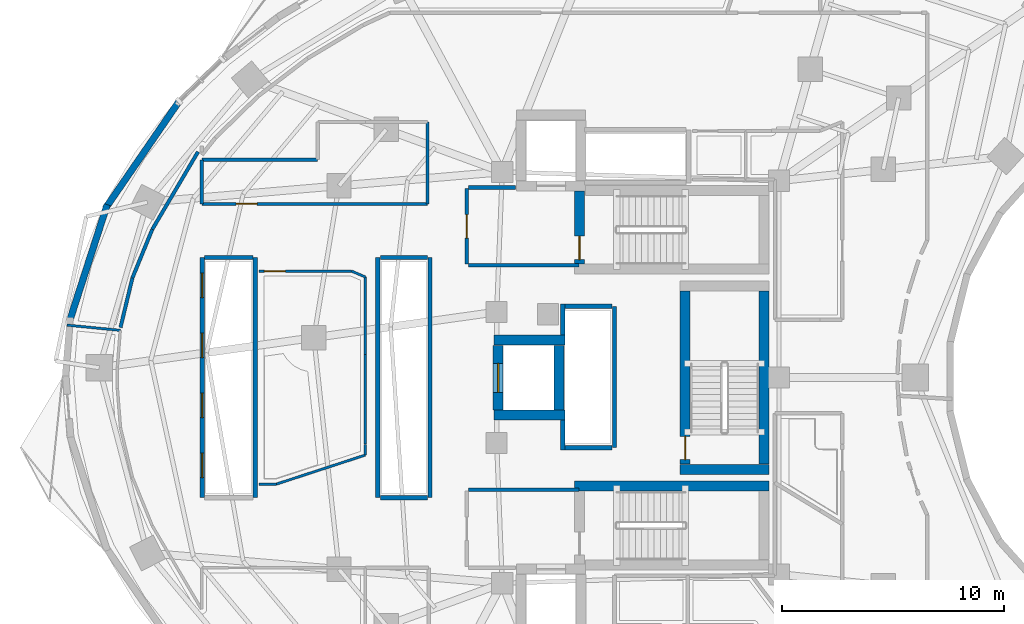
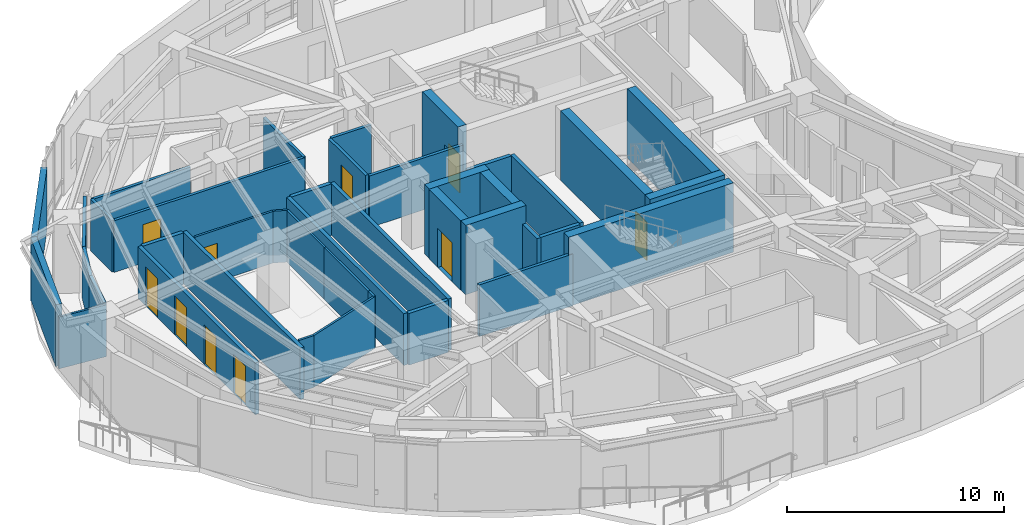
# One storey, part 8 of 14: 42 walls, 10 doors, 10 openings.
"""IFC4 building model written with IfcOpenShell, lengths in metres."""

from ifc_helpers import new_model, si_unit, direction, frame, frame_2d, origin, place, context, subcontext, project, spatial, rectangle, extrude, material, layer, layer_set, type_object, element, fill, save


model = new_model("IFC4")

# Units and contexts
model_context = context("Model", 3, precision=1e-05, world=origin(), true_north=direction((0.0, 1.0)))
body_context = subcontext(model_context, "Body", "Model", "MODEL_VIEW")
ifc_project = project(units=[si_unit("LENGTHUNIT", "METRE"), si_unit("AREAUNIT", "SQUARE_METRE"), si_unit("VOLUMEUNIT", "CUBIC_METRE"), si_unit("PLANEANGLEUNIT", "RADIAN"), si_unit("MASSUNIT", "GRAM", prefix="KILO")], contexts=[model_context])

# Site, building, storey
site_placement = place(None, origin())
site = spatial("IfcSite", under=ifc_project, at=site_placement, CompositionType="ELEMENT")
building_placement = place(site_placement, origin())
building = spatial("IfcBuilding", under=site, at=building_placement, Name="Korentha Bioscience Tower", CompositionType="ELEMENT")
storey_placement = place(building_placement, frame((0.0, 0.0, 90.0)))
storey = spatial("IfcBuildingStorey", under=building, at=storey_placement, Name="L20", CompositionType="ELEMENT", Elevation=90.0)

# Wall, opening, door
ifc_material_1 = material(Name="Double-Stud Acoustic Gypsum", Category="gypsum")
ifc_layer_1 = layer(ifc_material_1, 0.14990234375, Name="Double-Stud Acoustic Gypsum")
ifc_layer_set_1 = layer_set([ifc_layer_1], Name="Double-Stud Acoustic Gypsum (IW-L150)")
wall_type_1 = type_object("IfcWallType", Name="Acoustic Laboratory Partition Wall 150", PredefinedType="PARTITIONING", material=ifc_layer_set_1)
wall_1_placement = place(storey_placement, frame((21.739990234375, 34.81005859375, 0.0), z_axis=(0.0, 0.0, 1.0), x_axis=(-1.0, 0.0, 0.0)))
wall_1 = element("IfcWall", 1, at=wall_1_placement, inside=storey, type_object=wall_type_1, Name="L20 Epidemiology Modelling Studio 10 Entrance Wall", PredefinedType="PARTITIONING", context=body_context, shape_type="SweptSolid", body=[
    extrude(rectangle(XDim=10.14990234375, YDim=0.14990234375, at=frame_2d((5.074951171875, 0.0))), origin(), (0.0, 0.0, 1.0), 2.909912109375),
])
opening_1_placement = place(wall_1_placement, frame((7.66162109375, 0.0, 0.0)))
opening_1 = element("IfcOpeningElement", 2, at=opening_1_placement, cuts=wall_1, Name="Opening ID-10R", PredefinedType="OPENING", context=body_context, shape_type="SweptSolid", body=[
    extrude(rectangle(XDim=0.949951171875, YDim=2.14990234375, at=frame_2d((0.47509765625, 1.074951171875))), frame((0.0, 0.08984375, 0.0), z_axis=(0.0, -1.0, 0.0), x_axis=(1.0, 0.0, 0.0)), (0.0, 0.0, 1.0), 0.1796875),
])
ifc_material_2 = material(Name="Phenolic Laminate Timber Core", Category="wood")
door_type_1 = type_object("IfcDoorType", Name="Laboratory Single Leaf Door 950x2150 Right", OperationType="SINGLE_SWING_RIGHT", PredefinedType="DOOR", material=ifc_material_2)
door_1_placement = place(opening_1_placement, origin())
door_1 = element("IfcDoor", 3, at=door_1_placement, inside=storey, type_object=door_type_1, Name="L20 Epidemiology Modelling Studio 10 Door", OperationType="SINGLE_SWING_RIGHT", OverallHeight=2.14990234375, OverallWidth=0.949951171875, PredefinedType="DOOR", context=body_context, shape_type="SweptSolid", body=[
    extrude(rectangle(XDim=0.949951171875, YDim=2.14990234375, at=frame_2d((0.47509765625, 1.074951171875))), frame((0.0, 0.02490234375, 0.0), z_axis=(0.0, -1.0, 0.0), x_axis=(1.0, 0.0, 0.0)), (0.0, 0.0, 1.0), 0.050048828125),
])
fill(opening_1, door_1)

# Walls
wall_2_placement = place(storey_placement, frame((21.739990234375, 38.498046875, 0.0), z_axis=(0.0, 0.0, 1.0), x_axis=(0.0, -1.0, 0.0)))
element("IfcWall", 4, at=wall_2_placement, inside=storey, type_object=wall_type_1, Name="L20 Interior Partition 082", PredefinedType="PARTITIONING", context=body_context, shape_type="SweptSolid", body=[
    extrude(rectangle(XDim=3.68798828125, YDim=0.14990234375, at=frame_2d((1.843994140625, 0.0))), origin(), (0.0, 0.0, 1.0), 2.909912109375),
])
wall_3_placement = place(storey_placement, frame((11.590087890625, 34.81005859375, 0.0), z_axis=(0.0, 0.0, 1.0), x_axis=(0.0, 1.0, 0.0)))
element("IfcWall", 5, at=wall_3_placement, inside=storey, type_object=wall_type_1, Name="L20 Interior Partition 083", PredefinedType="PARTITIONING", context=body_context, shape_type="SweptSolid", body=[
    extrude(rectangle(XDim=1.97998046875, YDim=0.14990234375, at=frame_2d((0.989990234375, 0.0))), origin(), (0.0, 0.0, 1.0), 2.909912109375),
])
wall_4_placement = place(storey_placement, frame((11.590087890625, 36.7900390625, 0.0), z_axis=(0.0, 0.0, 1.0), x_axis=(1.0, 0.0, 0.0)))
element("IfcWall", 6, at=wall_4_placement, inside=storey, type_object=wall_type_1, Name="L20 Interior Partition 084", PredefinedType="PARTITIONING", context=body_context, shape_type="SweptSolid", body=[
    extrude(rectangle(XDim=5.2099609375, YDim=0.14990234375, at=frame_2d((2.60498046875, 0.0))), origin(), (0.0, 0.0, 1.0), 2.909912109375),
])

# Wall, opening, door
ifc_material_3 = material(Name="Fire-Rated Framed Glass", Category="glass")
ifc_layer_2 = layer(ifc_material_3, 0.110107421875, Name="Fire-Rated Framed Glass")
ifc_layer_set_2 = layer_set([ifc_layer_2], Name="Fire-Rated Framed Glass (IW-G110)")
wall_type_2 = type_object("IfcWallType", Name="Demountable Glazed Office Partition 110", PredefinedType="MOVABLE", material=ifc_layer_set_2)
wall_5_placement = place(storey_placement, frame((14.159912109375, 31.7900390625, 0.0), z_axis=(0.0, 0.0, 1.0), x_axis=(1.0, 0.0, 0.0)))
wall_5 = element("IfcWall", 7, at=wall_5_placement, inside=storey, type_object=wall_type_2, Name="L20 Senior Scientist Corner Office 11 Entrance Wall", PredefinedType="MOVABLE", context=body_context, shape_type="SweptSolid", body=[
    extrude(rectangle(XDim=4.158203125, YDim=0.110107421875, at=frame_2d((2.0791015625, 0.0))), origin(), (0.0, 0.0, 1.0), 2.909912109375),
])
opening_2_placement = place(wall_5_placement, frame((0.239990234375, 0.0, 0.0)))
opening_2 = element("IfcOpeningElement", 8, at=opening_2_placement, cuts=wall_5, Name="Opening ID-10L", PredefinedType="OPENING", context=body_context, shape_type="SweptSolid", body=[
    extrude(rectangle(XDim=0.949951171875, YDim=2.14990234375, at=frame_2d((0.47509765625, 1.074951171875))), frame((0.0, 0.06982421875, 0.0), z_axis=(0.0, -1.0, 0.0), x_axis=(1.0, 0.0, 0.0)), (0.0, 0.0, 1.0), 0.139892578125),
])
door_type_2 = type_object("IfcDoorType", Name="Laboratory Single Leaf Door 950x2150 Left", OperationType="SINGLE_SWING_LEFT", PredefinedType="DOOR", material=ifc_material_2)
door_2_placement = place(opening_2_placement, origin())
door_2 = element("IfcDoor", 9, at=door_2_placement, inside=storey, type_object=door_type_2, Name="L20 Senior Scientist Corner Office 11 Door", OperationType="SINGLE_SWING_LEFT", OverallHeight=2.14990234375, OverallWidth=0.949951171875, PredefinedType="DOOR", context=body_context, shape_type="SweptSolid", body=[
    extrude(rectangle(XDim=0.949951171875, YDim=2.14990234375, at=frame_2d((0.47509765625, 1.074951171875))), frame((0.0, 0.02490234375, 0.0), z_axis=(0.0, -1.0, 0.0), x_axis=(1.0, 0.0, 0.0)), (0.0, 0.0, 1.0), 0.050048828125),
])
fill(opening_2, door_2)

# Walls
wall_6_placement = place(storey_placement, frame((5.521484375, 29.359619140625, 0.0), z_axis=(0.0, 0.0, 1.0), x_axis=(0.99523083929, -0.097547816614, 0.0)))
element("IfcWall", 10, at=wall_6_placement, inside=storey, type_object=wall_type_2, Name="L20 Interior Partition 019", PredefinedType="MOVABLE", context=body_context, shape_type="SweptSolid", body=[
    extrude(rectangle(XDim=2.41015625, YDim=0.110107421875, at=frame_2d((1.205078125, 0.0))), origin(), (0.0, 0.0, 1.0), 2.909912109375),
])
wall_7_placement = place(storey_placement, frame((18.318115234375, 31.7900390625, 0.0), z_axis=(0.0, 0.0, 1.0), x_axis=(0.920523463189, -0.390687283795, 0.0)))
element("IfcWall", 11, at=wall_7_placement, inside=storey, type_object=wall_type_2, Name="L20 Interior Partition 087", PredefinedType="MOVABLE", context=body_context, shape_type="SweptSolid", body=[
    extrude(rectangle(XDim=0.684326171875, YDim=0.110107421875, at=frame_2d((0.34228515625, 0.0))), origin(), (0.0, 0.0, 1.0), 2.909912109375),
])
wall_8_placement = place(storey_placement, frame((18.947998046875, 31.5224609375, 0.0), z_axis=(0.0, 0.0, 1.0), x_axis=(0.0, -1.0, 0.0)))
element("IfcWall", 12, at=wall_8_placement, inside=storey, type_object=wall_type_2, Name="L20 Interior Partition 088", PredefinedType="MOVABLE", context=body_context, shape_type="SweptSolid", body=[
    extrude(rectangle(XDim=3.47509765625, YDim=0.110107421875, at=frame_2d((1.737548828125, 0.0))), origin(), (0.0, 0.0, 1.0), 2.909912109375),
])
wall_9_placement = place(storey_placement, frame((18.947998046875, 28.04296875, 0.0), z_axis=(0.0, 0.0, 1.0), x_axis=(0.0, -1.0, 0.0)))
element("IfcWall", 13, at=wall_9_placement, inside=storey, type_object=wall_type_2, Name="L20 Interior Partition 089", PredefinedType="MOVABLE", context=body_context, shape_type="SweptSolid", body=[
    extrude(rectangle(XDim=4.040771484375, YDim=0.110107421875, at=frame_2d((2.0205078125, 0.0))), origin(), (0.0, 0.0, 1.0), 2.909912109375),
])
wall_10_placement = place(storey_placement, frame((18.947998046875, 23.997802734375, 0.0), z_axis=(0.0, 0.0, 1.0), x_axis=(0.0, -1.0, 0.0)))
element("IfcWall", 14, at=wall_10_placement, inside=storey, type_object=wall_type_2, Name="L20 Interior Partition 090", PredefinedType="MOVABLE", context=body_context, shape_type="SweptSolid", body=[
    extrude(rectangle(XDim=0.479736328125, YDim=0.110107421875, at=frame_2d((0.23974609375, 0.0))), origin(), (0.0, 0.0, 1.0), 2.909912109375),
])
wall_11_placement = place(storey_placement, frame((18.947998046875, 23.517822265625, 0.0), z_axis=(0.0, 0.0, 1.0), x_axis=(-0.950522660163, -0.31065523095, 0.0)))
element("IfcWall", 15, at=wall_11_placement, inside=storey, type_object=wall_type_2, Name="L20 Interior Partition 091", PredefinedType="MOVABLE", context=body_context, shape_type="SweptSolid", body=[
    extrude(rectangle(XDim=4.2099609375, YDim=0.110107421875, at=frame_2d((2.10498046875, 0.0))), origin(), (0.0, 0.0, 1.0), 2.909912109375),
])
wall_12_placement = place(storey_placement, frame((14.9462890625, 22.2099609375, 0.0), z_axis=(0.0, 0.0, 1.0), x_axis=(-1.0, 0.0, 0.0)))
element("IfcWall", 16, at=wall_12_placement, inside=storey, type_object=wall_type_2, Name="L20 Interior Partition 092", PredefinedType="MOVABLE", context=body_context, shape_type="SweptSolid", body=[
    extrude(rectangle(XDim=0.786376953125, YDim=0.110107421875, at=frame_2d((0.39306640625, 0.0))), origin(), (0.0, 0.0, 1.0), 2.909912109375),
])

# Wall, opening, door
ifc_material_4 = material(Name="Gypsum-Clad Steel Stud", Category="steel")
ifc_layer_3 = layer(ifc_material_4, 0.159912109375, Name="Gypsum-Clad Steel Stud")
ifc_layer_set_3 = layer_set([ifc_layer_3], Name="Gypsum-Clad Steel Stud (IW-C160)")
wall_type_3 = type_object("IfcWallType", Name="Fire-Rated Corridor Partition Wall 160", PredefinedType="PARTITIONING", material=ifc_layer_set_3)
wall_13_placement = place(storey_placement, frame((23.5, 32.10009765625, 0.0), z_axis=(0.0, 0.0, 1.0), x_axis=(0.0, 1.0, 0.0)))
wall_13 = element("IfcWall", 17, at=wall_13_placement, inside=storey, type_object=wall_type_3, Name="L20 FFLN-CW Rated Enclosure Wall", PredefinedType="PARTITIONING", context=body_context, shape_type="SweptSolid", body=[
    extrude(rectangle(XDim=3.39990234375, YDim=0.159912109375, at=frame_2d((1.699951171875, 0.0))), origin(), (0.0, 0.0, 1.0), 2.909912109375),
])
opening_3_placement = place(wall_13_placement, frame((1.175048828125, 0.0, 0.0)))
opening_3 = element("IfcOpeningElement", 18, at=opening_3_placement, cuts=wall_13, Name="Opening FD-90L", PredefinedType="OPENING", context=body_context, shape_type="SweptSolid", body=[
    extrude(rectangle(XDim=1.050048828125, YDim=2.14990234375, at=frame_2d((0.52490234375, 1.074951171875))), frame((0.0, 0.0947265625, 0.0), z_axis=(0.0, -1.0, 0.0), x_axis=(1.0, 0.0, 0.0)), (0.0, 0.0, 1.0), 0.189697265625),
])
ifc_material_5 = material(Name="Powder-Coated Fire-Rated Steel", Category="steel")
door_type_3 = type_object("IfcDoorType", Name="Stairwell Fire Exit Door 1050x2150 Left", OperationType="SINGLE_SWING_LEFT", PredefinedType="DOOR", material=ifc_material_5)
door_3_placement = place(opening_3_placement, origin())
door_3 = element("IfcDoor", 19, at=door_3_placement, inside=storey, type_object=door_type_3, Name="L20 North Firefighting Lobby Door", OperationType="SINGLE_SWING_LEFT", OverallHeight=2.14990234375, OverallWidth=1.050048828125, PredefinedType="DOOR", context=body_context, shape_type="SweptSolid", body=[
    extrude(rectangle(XDim=1.050048828125, YDim=2.14990234375, at=frame_2d((0.52490234375, 1.074951171875))), frame((0.0, 0.02490234375, 0.0), z_axis=(0.0, -1.0, 0.0), x_axis=(1.0, 0.0, 0.0)), (0.0, 0.0, 1.0), 0.050048828125),
])
fill(opening_3, door_3)

# Walls
wall_14_placement = place(storey_placement, frame((23.580078125, 32.050048828125, 0.0), z_axis=(0.0, 0.0, 1.0), x_axis=(1.0, 0.0, 0.0)))
element("IfcWall", 20, at=wall_14_placement, inside=storey, type_object=wall_type_3, Name="L20 Firefighting Lobby Return Wall FFLN-S", PredefinedType="PARTITIONING", context=body_context, shape_type="SweptSolid", body=[
    extrude(rectangle(XDim=4.969970703125, YDim=0.159912109375, at=frame_2d((2.48486328125, 0.0))), origin(), (0.0, 0.0, 1.0), 2.909912109375),
])
wall_15_placement = place(storey_placement, frame((23.580078125, 35.550048828125, 0.0), z_axis=(0.0, 0.0, 1.0), x_axis=(1.0, 0.0, 0.0)))
element("IfcWall", 21, at=wall_15_placement, inside=storey, type_object=wall_type_3, Name="L20 Firefighting Lobby Return Wall FFLN-N", PredefinedType="PARTITIONING", context=body_context, shape_type="SweptSolid", body=[
    extrude(rectangle(XDim=2.119873046875, YDim=0.159912109375, at=frame_2d((1.06005859375, 0.0))), origin(), (0.0, 0.0, 1.0), 2.909912109375),
])
wall_16_placement = place(storey_placement, frame((23.580078125, 21.949951171875, 0.0), z_axis=(0.0, 0.0, 1.0), x_axis=(1.0, 0.0, 0.0)))
element("IfcWall", 22, at=wall_16_placement, inside=storey, type_object=wall_type_3, Name="L20 Firefighting Lobby Return Wall FFLS-N", PredefinedType="PARTITIONING", context=body_context, shape_type="SweptSolid", body=[
    extrude(rectangle(XDim=4.969970703125, YDim=0.159912109375, at=frame_2d((2.48486328125, 0.0))), origin(), (0.0, 0.0, 1.0), 2.909912109375),
])
wall_17_placement = place(storey_placement, frame((11.418701171875, 37.154296875, 0.0), z_axis=(0.0, 0.0, 1.0), x_axis=(-0.508183269016, -0.861248956511, 0.0)))
element("IfcWall", 23, at=wall_17_placement, inside=storey, type_object=wall_type_3, Name="L20 Interior Partition 078", PredefinedType="PARTITIONING", context=body_context, shape_type="SweptSolid", body=[
    extrude(rectangle(XDim=4.052734375, YDim=0.159912109375, at=frame_2d((2.0263671875, 0.0))), origin(), (0.0, 0.0, 1.0), 2.909912109375),
])
wall_18_placement = place(storey_placement, frame((9.3583984375, 33.66259765625, 0.0), z_axis=(0.0, 0.0, 1.0), x_axis=(-0.378306283753, -0.925680482495, 0.0)))
element("IfcWall", 24, at=wall_18_placement, inside=storey, type_object=wall_type_3, Name="L20 Interior Partition 079", PredefinedType="PARTITIONING", context=body_context, shape_type="SweptSolid", body=[
    extrude(rectangle(XDim=2.358154296875, YDim=0.159912109375, at=frame_2d((1.17919921875, 0.0))), origin(), (0.0, 0.0, 1.0), 2.909912109375),
])
wall_19_placement = place(storey_placement, frame((8.4658203125, 31.478515625, 0.0), z_axis=(0.0, 0.0, 1.0), x_axis=(-0.233675196412, -0.972314713754, 0.0)))
element("IfcWall", 25, at=wall_19_placement, inside=storey, type_object=wall_type_3, Name="L20 Interior Partition 080", PredefinedType="PARTITIONING", context=body_context, shape_type="SweptSolid", body=[
    extrude(rectangle(XDim=2.291259765625, YDim=0.159912109375, at=frame_2d((1.1455078125, 0.0))), origin(), (0.0, 0.0, 1.0), 2.909912109375),
])
ifc_material_6 = material(Name="Honed Limestone Precast Concrete C40", Category="masonry")
ifc_layer_4 = layer(ifc_material_6, 0.300048828125, Name="Honed Limestone Precast Concrete C40")
ifc_layer_set_4 = layer_set([ifc_layer_4], Name="Honed Limestone Precast Concrete C40 (EW-ST300)")
wall_type_4 = type_object("IfcWallType", Name="Honed Limestone Cavity Spandrel Wall 300", PredefinedType="STANDARD", material=ifc_layer_set_4)
wall_20_placement = place(storey_placement, frame((10.54833984375, 39.400390625, 0.0), z_axis=(0.0, 0.0, 1.0), x_axis=(-0.566825798999, -0.823837674296, 0.0)))
element("IfcWall", 26, at=wall_20_placement, inside=storey, type_object=wall_type_4, Name="L20 Limestone Perimeter Closure Wall 14", PredefinedType="STANDARD", context=body_context, shape_type="SweptSolid", body=[
    extrude(rectangle(XDim=5.825927734375, YDim=0.300048828125, at=frame_2d((2.9130859375, 0.0))), origin(), (0.0, 0.0, 1.0), 3.469970703125),
])
wall_21_placement = place(storey_placement, frame((7.333984375, 34.779296875, 0.0), z_axis=(0.0, 0.0, 1.0), x_axis=(-0.307599470659, -0.951515930319, 0.0)))
element("IfcWall", 27, at=wall_21_placement, inside=storey, type_object=wall_type_4, Name="L20 Limestone Perimeter Closure Wall 16", PredefinedType="STANDARD", context=body_context, shape_type="SweptSolid", body=[
    extrude(rectangle(XDim=5.534423828125, YDim=0.300048828125, at=frame_2d((2.76708984375, 0.0))), origin(), (0.0, 0.0, 1.0), 3.469970703125),
])

# Wall, openings, doors
ifc_material_7 = material(Name="Autoclaved Aerated Concrete Block C25", Category="concrete")
ifc_layer_5 = layer(ifc_material_7, 0.199951171875, Name="Autoclaved Aerated Concrete Block C25")
ifc_layer_set_5 = layer_set([ifc_layer_5], Name="Autoclaved Aerated Concrete Block C25 (IW-S200)")
wall_type_5 = type_object("IfcWallType", Name="Lift and Riser Shaft Enclosure Wall 200", PredefinedType="PARTITIONING", material=ifc_layer_set_5)
wall_22_placement = place(storey_placement, frame((11.60009765625, 21.60009765625, 0.0), z_axis=(0.0, 0.0, 1.0), x_axis=(0.0, 1.0, 0.0)))
wall_22 = element("IfcWall", 28, at=wall_22_placement, inside=storey, type_object=wall_type_5, Name="L20 Lift Bank LOW Shaft Wall -X", PredefinedType="PARTITIONING", context=body_context, shape_type="SweptSolid", body=[
    extrude(rectangle(XDim=10.7998046875, YDim=0.199951171875, at=frame_2d((5.39990234375, 0.0))), origin(), (0.0, 0.0, 1.0), 2.909912109375),
])
opening_4_placement = place(wall_22_placement, frame((0.89990234375, 0.0, 0.0)))
opening_4 = element("IfcOpeningElement", 29, at=opening_4_placement, cuts=wall_22, Name="Opening LD-11", PredefinedType="OPENING", context=body_context, shape_type="SweptSolid", body=[
    extrude(rectangle(XDim=1.10009765625, YDim=2.199951171875, at=frame_2d((0.550048828125, 1.10009765625))), frame((0.0, 0.11474609375, 0.0), z_axis=(0.0, -1.0, 0.0), x_axis=(1.0, 0.0, 0.0)), (0.0, 0.0, 1.0), 0.229736328125),
])
opening_5_placement = place(wall_22_placement, frame((3.60009765625, 0.0, 0.0)))
opening_5 = element("IfcOpeningElement", 30, at=opening_5_placement, cuts=wall_22, Name="Opening LD-11", PredefinedType="OPENING", context=body_context, shape_type="SweptSolid", body=[
    extrude(rectangle(XDim=1.10009765625, YDim=2.199951171875, at=frame_2d((0.550048828125, 1.10009765625))), frame((0.0, 0.11474609375, 0.0), z_axis=(0.0, -1.0, 0.0), x_axis=(1.0, 0.0, 0.0)), (0.0, 0.0, 1.0), 0.229736328125),
])
opening_6_placement = place(wall_22_placement, frame((6.300048828125, 0.0, 0.0)))
opening_6 = element("IfcOpeningElement", 31, at=opening_6_placement, cuts=wall_22, Name="Opening LD-11", PredefinedType="OPENING", context=body_context, shape_type="SweptSolid", body=[
    extrude(rectangle(XDim=1.10009765625, YDim=2.199951171875, at=frame_2d((0.550048828125, 1.10009765625))), frame((0.0, 0.11474609375, 0.0), z_axis=(0.0, -1.0, 0.0), x_axis=(1.0, 0.0, 0.0)), (0.0, 0.0, 1.0), 0.229736328125),
])
opening_7_placement = place(wall_22_placement, frame((9.0, 0.0, 0.0)))
opening_7 = element("IfcOpeningElement", 32, at=opening_7_placement, cuts=wall_22, Name="Opening LD-11", PredefinedType="OPENING", context=body_context, shape_type="SweptSolid", body=[
    extrude(rectangle(XDim=1.10009765625, YDim=2.199951171875, at=frame_2d((0.550048828125, 1.10009765625))), frame((0.0, 0.11474609375, 0.0), z_axis=(0.0, -1.0, 0.0), x_axis=(1.0, 0.0, 0.0)), (0.0, 0.0, 1.0), 0.229736328125),
])
ifc_material_8 = material(Name="Brushed Stainless Steel 304", Category="steel")
door_type_4 = type_object("IfcDoorType", Name="Passenger Lift Sliding Landing Door 1100x2200", OperationType="DOUBLE_DOOR_SLIDING", PredefinedType="DOOR", material=ifc_material_8)
door_4_placement = place(opening_4_placement, origin())
door_4 = element("IfcDoor", 33, at=door_4_placement, inside=storey, type_object=door_type_4, Name="L20 PL-L1 Sliding Lift Landing Door", OperationType="DOUBLE_DOOR_SLIDING", OverallHeight=2.199951171875, OverallWidth=1.10009765625, PredefinedType="DOOR", context=body_context, shape_type="SweptSolid", body=[
    extrude(rectangle(XDim=1.10009765625, YDim=2.199951171875, at=frame_2d((0.550048828125, 1.10009765625))), frame((0.0, 0.02490234375, 0.0), z_axis=(0.0, -1.0, 0.0), x_axis=(1.0, 0.0, 0.0)), (0.0, 0.0, 1.0), 0.050048828125),
])
fill(opening_4, door_4)
door_5_placement = place(opening_5_placement, origin())
door_5 = element("IfcDoor", 34, at=door_5_placement, inside=storey, type_object=door_type_4, Name="L20 PL-L2 Sliding Lift Landing Door", OperationType="DOUBLE_DOOR_SLIDING", OverallHeight=2.199951171875, OverallWidth=1.10009765625, PredefinedType="DOOR", context=body_context, shape_type="SweptSolid", body=[
    extrude(rectangle(XDim=1.10009765625, YDim=2.199951171875, at=frame_2d((0.550048828125, 1.10009765625))), frame((0.0, 0.02490234375, 0.0), z_axis=(0.0, -1.0, 0.0), x_axis=(1.0, 0.0, 0.0)), (0.0, 0.0, 1.0), 0.050048828125),
])
fill(opening_5, door_5)
door_6_placement = place(opening_6_placement, origin())
door_6 = element("IfcDoor", 35, at=door_6_placement, inside=storey, type_object=door_type_4, Name="L20 PL-L3 Sliding Lift Landing Door", OperationType="DOUBLE_DOOR_SLIDING", OverallHeight=2.199951171875, OverallWidth=1.10009765625, PredefinedType="DOOR", context=body_context, shape_type="SweptSolid", body=[
    extrude(rectangle(XDim=1.10009765625, YDim=2.199951171875, at=frame_2d((0.550048828125, 1.10009765625))), frame((0.0, 0.02490234375, 0.0), z_axis=(0.0, -1.0, 0.0), x_axis=(1.0, 0.0, 0.0)), (0.0, 0.0, 1.0), 0.050048828125),
])
fill(opening_6, door_6)
door_7_placement = place(opening_7_placement, origin())
door_7 = element("IfcDoor", 36, at=door_7_placement, inside=storey, type_object=door_type_4, Name="L20 PL-L4 Sliding Lift Landing Door", OperationType="DOUBLE_DOOR_SLIDING", OverallHeight=2.199951171875, OverallWidth=1.10009765625, PredefinedType="DOOR", context=body_context, shape_type="SweptSolid", body=[
    extrude(rectangle(XDim=1.10009765625, YDim=2.199951171875, at=frame_2d((0.550048828125, 1.10009765625))), frame((0.0, 0.02490234375, 0.0), z_axis=(0.0, -1.0, 0.0), x_axis=(1.0, 0.0, 0.0)), (0.0, 0.0, 1.0), 0.050048828125),
])
fill(opening_7, door_7)

# Walls
wall_23_placement = place(storey_placement, frame((14.0, 21.60009765625, 0.0), z_axis=(0.0, 0.0, 1.0), x_axis=(0.0, 1.0, 0.0)))
element("IfcWall", 37, at=wall_23_placement, inside=storey, type_object=wall_type_5, Name="L20 Lift Bank LOW Shaft Wall +X", PredefinedType="PARTITIONING", context=body_context, shape_type="SweptSolid", body=[
    extrude(rectangle(XDim=10.7998046875, YDim=0.199951171875, at=frame_2d((5.39990234375, 0.0))), origin(), (0.0, 0.0, 1.0), 2.909912109375),
])
wall_24_placement = place(storey_placement, frame((11.719970703125, 32.39990234375, 0.0), z_axis=(0.0, 0.0, 1.0), x_axis=(1.0, 0.0, 0.0)))
element("IfcWall", 38, at=wall_24_placement, inside=storey, type_object=wall_type_5, Name="L20 Lift Bank LOW Shaft Wall +Y", PredefinedType="PARTITIONING", context=body_context, shape_type="SweptSolid", body=[
    extrude(rectangle(XDim=2.159912109375, YDim=0.199951171875, at=frame_2d((1.080078125, 0.0))), origin(), (0.0, 0.0, 1.0), 2.909912109375),
])
for number, where, z_axis, x_axis, name in (
    (39, (19.5, 21.60009765625, 0.0), (0.0, 0.0, 1.0), (0.0, 1.0, 0.0), "L20 Lift Bank MID Shaft Wall -X"),
    (40, (21.85009765625, 21.60009765625, 0.0), (0.0, 0.0, 1.0), (0.0, 1.0, 0.0), "L20 Lift Bank MID Shaft Wall +X"),
):
    element("IfcWall", number, at=place(storey_placement, frame(where, z_axis=z_axis, x_axis=x_axis)), inside=storey, type_object=wall_type_5, Name=name, PredefinedType="PARTITIONING", context=body_context, shape_type="SweptSolid", body=[
        extrude(rectangle(XDim=10.7998046875, YDim=0.199951171875, at=frame_2d((5.39990234375, 0.0))), origin(), (0.0, 0.0, 1.0), 2.909912109375),
    ])
for number, where, z_axis, x_axis, name in (
    (41, (19.6201171875, 21.60009765625, 0.0), (0.0, 0.0, 1.0), (1.0, 0.0, 0.0), "L20 Lift Bank MID Shaft Wall -Y"),
    (42, (19.6201171875, 32.39990234375, 0.0), (0.0, 0.0, 1.0), (1.0, 0.0, 0.0), "L20 Lift Bank MID Shaft Wall +Y"),
):
    element("IfcWall", number, at=place(storey_placement, frame(where, z_axis=z_axis, x_axis=x_axis)), inside=storey, type_object=wall_type_5, Name=name, PredefinedType="PARTITIONING", context=body_context, shape_type="SweptSolid", body=[
        extrude(rectangle(XDim=2.10986328125, YDim=0.199951171875, at=frame_2d((1.054931640625, 0.0))), origin(), (0.0, 0.0, 1.0), 2.909912109375),
    ])
wall_25_placement = place(storey_placement, frame((27.830078125, 23.75, 0.0), z_axis=(0.0, 0.0, 1.0), x_axis=(0.0, 1.0, 0.0)))
element("IfcWall", 43, at=wall_25_placement, inside=storey, type_object=wall_type_5, Name="L20 Lift Bank HIGH Shaft Wall -XS", PredefinedType="PARTITIONING", context=body_context, shape_type="SweptSolid", body=[
    extrude(rectangle(XDim=1.341064453125, YDim=0.199951171875, at=frame_2d((0.67041015625, 0.0))), origin(), (0.0, 0.0, 1.0), 2.909912109375),
])
wall_26_placement = place(storey_placement, frame((27.830078125, 28.908935546875, 0.0), z_axis=(0.0, 0.0, 1.0), x_axis=(0.0, 1.0, 0.0)))
element("IfcWall", 44, at=wall_26_placement, inside=storey, type_object=wall_type_5, Name="L20 Lift Bank HIGH Shaft Wall -XN", PredefinedType="PARTITIONING", context=body_context, shape_type="SweptSolid", body=[
    extrude(rectangle(XDim=1.39111328125, YDim=0.199951171875, at=frame_2d((0.695556640625, 0.0))), origin(), (0.0, 0.0, 1.0), 2.909912109375),
])
wall_27_placement = place(storey_placement, frame((30.14990234375, 23.85009765625, 0.0), z_axis=(0.0, 0.0, 1.0), x_axis=(0.0, 1.0, 0.0)))
element("IfcWall", 45, at=wall_27_placement, inside=storey, type_object=wall_type_5, Name="L20 Lift Bank HIGH Shaft Wall +X", PredefinedType="PARTITIONING", context=body_context, shape_type="SweptSolid", body=[
    extrude(rectangle(XDim=6.349853515625, YDim=0.199951171875, at=frame_2d((3.1748046875, 0.0))), origin(), (0.0, 0.0, 1.0), 2.909912109375),
])
for number, where, z_axis, x_axis, name in (
    (46, (27.93408203125, 23.85009765625, 0.0), (0.0, 0.0, 1.0), (1.0, 0.0, 0.0), "L20 Lift Bank HIGH Shaft Wall -Y"),
    (47, (27.93408203125, 30.199951171875, 0.0), (0.0, 0.0, 1.0), (1.0, 0.0, 0.0), "L20 Lift Bank HIGH Shaft Wall +Y"),
):
    element("IfcWall", number, at=place(storey_placement, frame(where, z_axis=z_axis, x_axis=x_axis)), inside=storey, type_object=wall_type_5, Name=name, PredefinedType="PARTITIONING", context=body_context, shape_type="SweptSolid", body=[
        extrude(rectangle(XDim=2.095947265625, YDim=0.199951171875, at=frame_2d((1.0478515625, 0.0))), origin(), (0.0, 0.0, 1.0), 2.909912109375),
    ])

# Wall, opening, door
ifc_material_9 = material(Name="Concrete C80", Category="concrete")
ifc_layer_6 = layer(ifc_material_9, 0.449951171875, Name="Concrete C80")
ifc_layer_set_6 = layer_set([ifc_layer_6], Name="Concrete C80 (CW-C80)")
wall_type_6 = type_object("IfcWallType", Name="Lower Core Shear Wall 450", PredefinedType="SHEAR", material=ifc_layer_set_6)
wall_28_placement = place(storey_placement, frame((28.574951171875, 32.110107421875, 0.0), z_axis=(0.0, 0.0, 1.0), x_axis=(0.0, 1.0, 0.0)))
wall_28 = element("IfcWall", 48, at=wall_28_placement, inside=storey, type_object=wall_type_6, Name="L20 Core Shear Wall ST1-W", PredefinedType="SHEAR", context=body_context, shape_type="SweptSolid", body=[
    extrude(rectangle(XDim=3.282958984375, YDim=0.449951171875, at=frame_2d((1.6416015625, 0.0))), origin(), (0.0, 0.0, 1.0), 3.89990234375),
])
opening_8_placement = place(wall_28_placement, frame((0.199951171875, 0.0, 0.0)))
opening_8 = element("IfcOpeningElement", 49, at=opening_8_placement, cuts=wall_28, Name="Opening FD-90L", PredefinedType="OPENING", context=body_context, shape_type="SweptSolid", body=[
    extrude(rectangle(XDim=1.050048828125, YDim=2.14990234375, at=frame_2d((0.52490234375, 1.074951171875))), frame((0.0, 0.23974609375, 0.0), z_axis=(0.0, -1.0, 0.0), x_axis=(1.0, 0.0, 0.0)), (0.0, 0.0, 1.0), 0.479736328125),
])
door_8_placement = place(opening_8_placement, origin())
door_8 = element("IfcDoor", 50, at=door_8_placement, inside=storey, type_object=door_type_3, Name="L20 ST-1 Fire Exit Stair Door", OperationType="SINGLE_SWING_LEFT", OverallHeight=2.14990234375, OverallWidth=1.050048828125, PredefinedType="DOOR", context=body_context, shape_type="SweptSolid", body=[
    extrude(rectangle(XDim=1.050048828125, YDim=2.14990234375, at=frame_2d((0.52490234375, 1.074951171875))), frame((0.0, 0.02490234375, 0.0), z_axis=(0.0, -1.0, 0.0), x_axis=(1.0, 0.0, 0.0)), (0.0, 0.0, 1.0), 0.050048828125),
])
fill(opening_8, door_8)

# Walls
wall_29_placement = place(storey_placement, frame((28.35009765625, 22.125, 0.0), z_axis=(0.0, 0.0, 1.0), x_axis=(1.0, 0.0, 0.0)))
element("IfcWall", 51, at=wall_29_placement, inside=storey, type_object=wall_type_6, Name="L20 Core Shear Wall ST2-N", PredefinedType="SHEAR", context=body_context, shape_type="SweptSolid", body=[
    extrude(rectangle(XDim=8.75, YDim=0.449951171875, at=frame_2d((4.375, 0.0))), origin(), (0.0, 0.0, 1.0), 3.89990234375),
])
wall_30_placement = place(storey_placement, frame((33.10009765625, 22.875, 0.0), z_axis=(0.0, 0.0, 1.0), x_axis=(1.0, 0.0, 0.0)))
element("IfcWall", 52, at=wall_30_placement, inside=storey, type_object=wall_type_6, Name="L20 Core Shear Wall ST3-S", PredefinedType="SHEAR", context=body_context, shape_type="SweptSolid", body=[
    extrude(rectangle(XDim=4.0, YDim=0.449951171875, at=frame_2d((2.0, 0.0))), origin(), (0.0, 0.0, 1.0), 3.89990234375),
])
wall_31_placement = place(storey_placement, frame((36.875, 23.110107421875, 0.0), z_axis=(0.0, 0.0, 1.0), x_axis=(0.0, 1.0, 0.0)))
element("IfcWall", 53, at=wall_31_placement, inside=storey, type_object=wall_type_6, Name="L20 Core Shear Wall ST3-E", PredefinedType="SHEAR", context=body_context, shape_type="SweptSolid", body=[
    extrude(rectangle(XDim=7.77978515625, YDim=0.449951171875, at=frame_2d((3.889892578125, 0.0))), origin(), (0.0, 0.0, 1.0), 3.89990234375),
])

# Wall, opening, door
wall_32_placement = place(storey_placement, frame((33.324951171875, 23.110107421875, 0.0), z_axis=(0.0, 0.0, 1.0), x_axis=(0.0, 1.0, 0.0)))
wall_32 = element("IfcWall", 54, at=wall_32_placement, inside=storey, type_object=wall_type_6, Name="L20 Core Shear Wall ST3-W", PredefinedType="SHEAR", context=body_context, shape_type="SweptSolid", body=[
    extrude(rectangle(XDim=7.77978515625, YDim=0.449951171875, at=frame_2d((3.889892578125, 0.0))), origin(), (0.0, 0.0, 1.0), 3.89990234375),
])
opening_9_placement = place(wall_32_placement, frame((0.199951171875, 0.0, 0.0)))
opening_9 = element("IfcOpeningElement", 55, at=opening_9_placement, cuts=wall_32, Name="Opening FD-90L", PredefinedType="OPENING", context=body_context, shape_type="SweptSolid", body=[
    extrude(rectangle(XDim=1.050048828125, YDim=2.14990234375, at=frame_2d((0.52490234375, 1.074951171875))), frame((0.0, 0.23974609375, 0.0), z_axis=(0.0, -1.0, 0.0), x_axis=(1.0, 0.0, 0.0)), (0.0, 0.0, 1.0), 0.479736328125),
])
door_9_placement = place(opening_9_placement, origin())
door_9 = element("IfcDoor", 56, at=door_9_placement, inside=storey, type_object=door_type_3, Name="L20 ST-3 Fire Exit Stair Door", OperationType="SINGLE_SWING_LEFT", OverallHeight=2.14990234375, OverallWidth=1.050048828125, PredefinedType="DOOR", context=body_context, shape_type="SweptSolid", body=[
    extrude(rectangle(XDim=1.050048828125, YDim=2.14990234375, at=frame_2d((0.52490234375, 1.074951171875))), frame((0.0, 0.02490234375, 0.0), z_axis=(0.0, -1.0, 0.0), x_axis=(1.0, 0.0, 0.0)), (0.0, 0.0, 1.0), 0.050048828125),
])
fill(opening_9, door_9)

# Walls
for number, where, z_axis, x_axis, name in (
    (57, (24.719970703125, 28.679931640625, 0.0), (0.0, 0.0, 1.0), (1.0, 0.0, 0.0), "L20 Core Shear Wall SVL1-N"),
    (58, (24.719970703125, 25.320068359375, 0.0), (0.0, 0.0, 1.0), (1.0, 0.0, 0.0), "L20 Core Shear Wall SVL1-S"),
):
    element("IfcWall", number, at=place(storey_placement, frame(where, z_axis=z_axis, x_axis=x_axis)), inside=storey, type_object=wall_type_6, Name=name, PredefinedType="SHEAR", context=body_context, shape_type="SweptSolid", body=[
        extrude(rectangle(XDim=3.2099609375, YDim=0.449951171875, at=frame_2d((1.60498046875, 0.0))), origin(), (0.0, 0.0, 1.0), 3.89990234375),
    ])

# Wall, opening, door
wall_33_placement = place(storey_placement, frame((24.919921875, 25.547119140625, 0.0), z_axis=(0.0, 0.0, 1.0), x_axis=(0.0, 1.0, 0.0)))
wall_33 = element("IfcWall", 59, at=wall_33_placement, inside=storey, type_object=wall_type_6, Name="L20 Core Shear Wall SVL1-W", PredefinedType="SHEAR", context=body_context, shape_type="SweptSolid", body=[
    extrude(rectangle(XDim=2.90576171875, YDim=0.449951171875, at=frame_2d((1.452880859375, 0.0))), origin(), (0.0, 0.0, 1.0), 3.89990234375),
])
opening_10_placement = place(wall_33_placement, frame((0.7900390625, 0.0, 0.0)))
opening_10 = element("IfcOpeningElement", 60, at=opening_10_placement, cuts=wall_33, Name="Opening LD-13", PredefinedType="OPENING", context=body_context, shape_type="SweptSolid", body=[
    extrude(rectangle(XDim=1.300048828125, YDim=2.199951171875, at=frame_2d((0.64990234375, 1.10009765625))), frame((0.0, 0.23974609375, 0.0), z_axis=(0.0, -1.0, 0.0), x_axis=(1.0, 0.0, 0.0)), (0.0, 0.0, 1.0), 0.479736328125),
])
ifc_material_10 = material(Name="Brushed Stainless Steel 316", Category="steel")
door_type_5 = type_object("IfcDoorType", Name="Service & Firefighting Lift Landing Door 1300x2300", OperationType="DOUBLE_DOOR_SLIDING", PredefinedType="DOOR", material=ifc_material_10)
door_10_placement = place(opening_10_placement, origin())
door_10 = element("IfcDoor", 61, at=door_10_placement, inside=storey, type_object=door_type_5, Name="L20 SVL-1 Sliding Lift Landing Door", OperationType="DOUBLE_DOOR_SLIDING", OverallHeight=2.199951171875, OverallWidth=1.300048828125, PredefinedType="DOOR", context=body_context, shape_type="SweptSolid", body=[
    extrude(rectangle(XDim=1.300048828125, YDim=2.199951171875, at=frame_2d((0.64990234375, 1.10009765625))), frame((0.0, 0.02490234375, 0.0), z_axis=(0.0, -1.0, 0.0), x_axis=(1.0, 0.0, 0.0)), (0.0, 0.0, 1.0), 0.050048828125),
])
fill(opening_10, door_10)

# Wall
wall_34_placement = place(storey_placement, frame((27.64990234375, 25.547119140625, 0.0), z_axis=(0.0, 0.0, 1.0), x_axis=(0.0, 1.0, 0.0)))
element("IfcWall", 62, at=wall_34_placement, inside=storey, type_object=wall_type_6, Name="L20 Core Shear Wall SVL1-E", PredefinedType="SHEAR", context=body_context, shape_type="SweptSolid", body=[
    extrude(rectangle(XDim=2.90576171875, YDim=0.449951171875, at=frame_2d((1.452880859375, 0.0))), origin(), (0.0, 0.0, 1.0), 3.89990234375),
])

save(model, "model.ifc")
